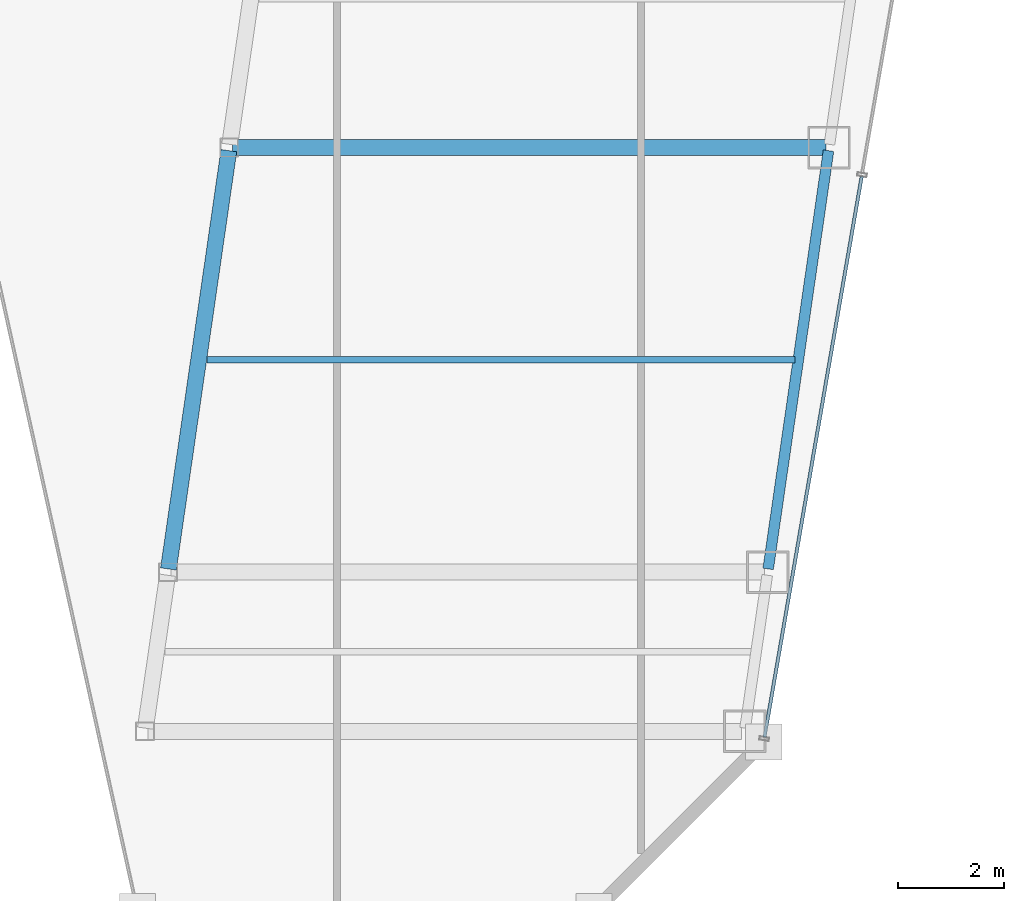
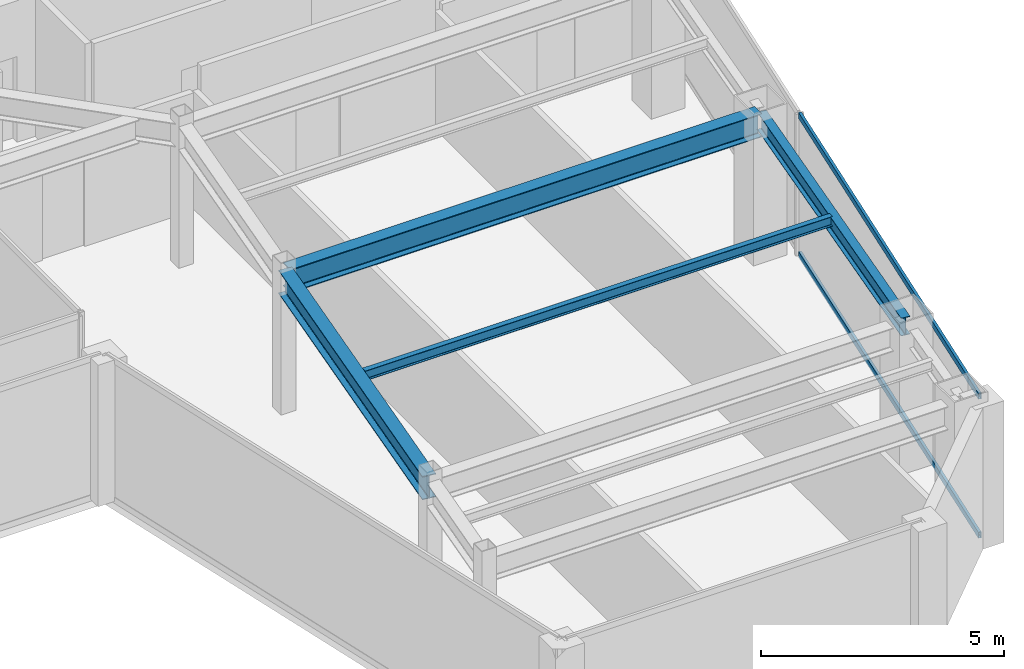
# One storey, part 15 of 33: 4 beams, 2 members, 1 element without a shape of its own.
"""IFC4 building model written with IfcOpenShell, lengths in metres."""

import ifcopenshell
import ifcopenshell.guid

model = None  # the IFC model being written
_history = None  # IfcOwnerHistory: only IFC2X3 demands one
_inside = {}  # id of a spatial element -> (the spatial element, [elements in it])
_under = {}  # id of a project, library or spatial element -> (it, [spatial elements below it])
_declared = {}  # id of a project -> (the project, [libraries it declares])
_typed = {}  # id of a type object -> (the type object, [elements of that type])
_made_of = {}  # id of a material, layer set ... -> (it, [elements and type objects made of it])


def new_model(schema):
    """Start an empty IFC model of exactly this schema.

    Asked for "IFC4X3", IfcOpenShell would pick the latest addendum, in which some entities
    have other attributes; the version numbers below select the first issue.
    IFC2X3 requires an IfcOwnerHistory on every rooted entity: one is made here for all.
    """
    global model, _history
    if schema == "IFC4X3":
        model = ifcopenshell.file(schema_version=(4, 3, 0, 0))
    else:
        model = ifcopenshell.file(schema=schema)
    _inside.clear()
    _under.clear()
    _declared.clear()
    _typed.clear()
    _made_of.clear()
    _history = None
    if model.schema == "IFC2X3":
        org = make("IfcOrganization", Name="unknown")
        user = make(
            "IfcPersonAndOrganization",
            ThePerson=make("IfcPerson", FamilyName="unknown"),
            TheOrganization=org,
        )
        app = make(
            "IfcApplication",
            ApplicationDeveloper=org,
            Version="unknown",
            ApplicationFullName="unknown",
            ApplicationIdentifier="unknown",
        )
        _history = make(
            "IfcOwnerHistory",
            OwningUser=user,
            OwningApplication=app,
            ChangeAction="ADDED",
            CreationDate=0,
        )
    return model


def make(cls, **values):
    """One entity of the class cls with the attributes given. An attribute that is None is left unset."""
    return model.create_entity(
        cls, **{name: value for name, value in values.items() if value is not None}
    )


def rooted(cls, **values):
    """An entity with a GlobalId (a new one), such as an element, a storey or a relation."""
    return make(cls, GlobalId=ifcopenshell.guid.new(), OwnerHistory=_history, **values)


def si_unit(unit_type, name, prefix=None):
    """IfcSIUnit, for example si_unit("LENGTHUNIT", "METRE", prefix="MILLI")."""
    return make("IfcSIUnit", UnitType=unit_type, Prefix=prefix, Name=name)


def assignment(units):
    """IfcUnitAssignment: the units of a project."""
    return None if units is None else make("IfcUnitAssignment", Units=units)


def point(xyz):
    """IfcCartesianPoint."""
    return None if xyz is None else make("IfcCartesianPoint", Coordinates=xyz)


def direction(xyz):
    """IfcDirection."""
    return None if xyz is None else make("IfcDirection", DirectionRatios=xyz)


def frame(location, z_axis=None, x_axis=None):
    """IfcAxis2Placement3D, a coordinate frame: its origin and axes. An axis left out is left unset."""
    return make(
        "IfcAxis2Placement3D",
        Location=point(location),
        Axis=direction(z_axis),
        RefDirection=direction(x_axis),
    )


def frame_2d(location, x_axis=None):
    """IfcAxis2Placement2D, a coordinate frame in the plane: its origin and x axis."""
    return make(
        "IfcAxis2Placement2D", Location=point(location), RefDirection=direction(x_axis)
    )


def origin():
    """The frame at (0, 0, 0) with its axes left unset."""
    return frame((0.0, 0.0, 0.0))


def origin_2d():
    """The frame at (0, 0) in the plane with its x axis left unset."""
    return frame_2d((0.0, 0.0))


def place(relative_to, where):
    """IfcLocalPlacement: puts the frame where relative to a parent placement (None: the world)."""
    return make(
        "IfcLocalPlacement", PlacementRelTo=relative_to, RelativePlacement=where
    )


def context(
    kind, dimensions, precision=None, world=None, true_north=None, identifier=None
):
    """IfcGeometricRepresentationContext, for example the 3D "Model" context."""
    return make(
        "IfcGeometricRepresentationContext",
        ContextIdentifier=identifier,
        ContextType=kind,
        CoordinateSpaceDimension=dimensions,
        Precision=precision,
        WorldCoordinateSystem=world,
        TrueNorth=true_north,
    )


def subcontext(parent, identifier, kind, view, scale=None):
    """IfcGeometricRepresentationSubContext, for example "Body" below "Model"."""
    return make(
        "IfcGeometricRepresentationSubContext",
        ContextIdentifier=identifier,
        ContextType=kind,
        ParentContext=parent,
        TargetScale=scale,
        TargetView=view,
    )


def project(units=None, contexts=None):
    """IfcProject with its units and contexts."""
    return rooted(
        "IfcProject",
        Name="project",
        RepresentationContexts=contexts,
        UnitsInContext=assignment(units),
    )


def spatial(cls, under=None, at=None, **own):
    """A site, building, storey or space (cls), placed at a placement, below another one or the project."""
    s = rooted(cls, ObjectPlacement=at, **own)
    if under is not None:
        _under.setdefault(under.id(), (under, []))[1].append(s)
    return s


def profile(cls, at=None, kind="AREA", **sizes):
    """A parametric profile (cls). Its sizes go by their IFC names, for example OverallWidth=200.0."""
    return make(cls, ProfileType=kind, Position=at, **sizes)


def hollow_rectangle(**sizes):
    """IfcRectangleHollowProfileDef."""
    return profile("IfcRectangleHollowProfileDef", **sizes)


def i_section(**sizes):
    """IfcIShapeProfileDef."""
    return profile("IfcIShapeProfileDef", **sizes)


def extrude(swept, where, along, depth):
    """IfcExtrudedAreaSolid: the profile swept, set in the frame where, extruded along a direction by depth."""
    return make(
        "IfcExtrudedAreaSolid",
        SweptArea=swept,
        Position=where,
        ExtrudedDirection=direction(along),
        Depth=depth,
    )


def shape(context_of_items, identifier, shape_type, items):
    """IfcShapeRepresentation: the items that make up one representation, for example the "Body"."""
    return make(
        "IfcShapeRepresentation",
        ContextOfItems=context_of_items,
        RepresentationIdentifier=identifier,
        RepresentationType=shape_type,
        Items=items,
    )


def material(Name=None, Category=None):
    """IfcMaterial."""
    return make("IfcMaterial", Name=Name, Category=Category)


def material_profile(
    of_material, cross_section, Name=None, Category=None, Priority=None
):
    """IfcMaterialProfile: a cross section and its material."""
    return make(
        "IfcMaterialProfile",
        Name=Name,
        Material=of_material,
        Profile=cross_section,
        Priority=Priority,
        Category=Category,
    )


def profile_set(profiles, Name=None, composite=None):
    """IfcMaterialProfileSet."""
    return make(
        "IfcMaterialProfileSet",
        Name=Name,
        MaterialProfiles=profiles,
        CompositeProfile=composite,
    )


def made_of(thing, what):
    """Note that an element or type object is made of a material, layer set ...; save() writes the relation."""
    if what is not None:
        _made_of.setdefault(what.id(), (what, []))[1].append(thing)
    return thing


def type_object(cls, material=None, **own):
    """A type object (cls), such as IfcWallType, which elements share."""
    return made_of(rooted(cls, **own), material)


def element(
    cls,
    number,
    at=None,
    inside=None,
    cuts=None,
    type_object=None,
    material=None,
    context=None,
    identifier="Body",
    shape_type=None,
    held_by="IfcProductDefinitionShape",
    body=None,
    shapes=None,
    **own,
):
    """One element of the class cls, such as IfcWall. Its Tag is "e" and its number.

    at: its placement. inside: the storey or other place that contains it. cuts: it is an
    opening in that element (IfcRelVoidsElement). A single representation is given by context,
    identifier, shape_type and body (its items); several are given by shapes. held_by: the class
    of the entity that holds the representations. save() writes the other relations.
    """
    e = rooted(cls, Tag="e%d" % number, ObjectPlacement=at, **own)
    if body is not None:
        shapes = [shape(context, identifier, shape_type, body)]
    if shapes is not None:
        e.Representation = make(held_by, Representations=shapes)
    if inside is not None:
        _inside.setdefault(inside.id(), (inside, []))[1].append(e)
    if cuts is not None:
        rooted(
            "IfcRelVoidsElement", RelatingBuildingElement=cuts, RelatedOpeningElement=e
        )
    if type_object is not None:
        _typed.setdefault(type_object.id(), (type_object, []))[1].append(e)
    return made_of(e, material)


def aggregate(whole, parts):
    """IfcRelAggregates: a whole, such as a stair, and the parts it consists of."""
    return rooted("IfcRelAggregates", RelatingObject=whole, RelatedObjects=parts)


def save(model, path):
    """Write the relations noted so far, then the file.

    IfcRelAggregates (storeys below a building ...), IfcRelContainedInSpatialStructure (elements
    in a storey), IfcRelDefinesByType, IfcRelAssociatesMaterial and IfcRelDeclares: one each for
    every whole, place, type object, material and project.
    """
    for whole, parts in _under.values():
        aggregate(whole, parts)
    for where, things in _inside.values():
        rooted(
            "IfcRelContainedInSpatialStructure",
            RelatedElements=things,
            RelatingStructure=where,
        )
    for kind, things in _typed.values():
        rooted("IfcRelDefinesByType", RelatedObjects=things, RelatingType=kind)
    for what, things in _made_of.values():
        rooted("IfcRelAssociatesMaterial", RelatedObjects=things, RelatingMaterial=what)
    for by, libraries in _declared.values():
        rooted("IfcRelDeclares", RelatingContext=by, RelatedDefinitions=libraries)
    model.write(path)


model = new_model("IFC4")

# Units and contexts
model_context = context("Model", 3, precision=1e-05, world=origin(), true_north=direction((0.0, 1.0)))
body_context = subcontext(model_context, "Body", "Model", "MODEL_VIEW")
ifc_project = project(units=[si_unit("LENGTHUNIT", "METRE"), si_unit("AREAUNIT", "SQUARE_METRE"), si_unit("VOLUMEUNIT", "CUBIC_METRE"), si_unit("PLANEANGLEUNIT", "RADIAN"), si_unit("MASSUNIT", "GRAM", prefix="KILO")], contexts=[model_context])

# Site, building, storey
site_placement = place(None, origin())
site = spatial("IfcSite", under=ifc_project, at=site_placement, CompositionType="ELEMENT")
building_placement = place(site_placement, origin())
building = spatial("IfcBuilding", under=site, at=building_placement, Name="Saevonmaru Cultural Tower", CompositionType="ELEMENT")
storey_placement = place(building_placement, frame((0.0, 0.0, 238.199951171875)))
storey = spatial("IfcBuildingStorey", under=building, at=storey_placement, Name="L55", CompositionType="ELEMENT", Elevation=238.199951171875)

# Beams
ifc_material_1 = material(Name="Steel SM355", Category="steel")
ifc_material_profile_1 = material_profile(ifc_material_1, i_section(OverallWidth=0.300048828125, OverallDepth=0.587890625, WebThickness=0.011962890625, FlangeThickness=0.02001953125, FilletRadius=0.02392578125, at=origin_2d()), Name="H-588x300x12x20")
ifc_profile_set_1 = profile_set([ifc_material_profile_1], Name="Steel SM355")
beam_type_1 = type_object("IfcBeamType", Name="BM-G-H588", PredefinedType="BEAM", material=ifc_profile_set_1)
beam_1_placement = place(storey_placement, frame((39.236572265625, 24.059326171875, 3.256103515625), z_axis=(0.142902032203, 0.989736838353, 0.0), x_axis=(-0.989736838353, 0.142902032203, 0.0)))
element("IfcBeam", 1, at=beam_1_placement, inside=storey, type_object=beam_type_1, Name="L55 East Atrium Girder 2", PredefinedType="BEAM", context=body_context, shape_type="SweptSolid", body=[
    extrude(i_section(OverallWidth=0.300048828125, OverallDepth=0.587890625, WebThickness=0.011962890625, FlangeThickness=0.02001953125, FilletRadius=0.02392578125, at=origin_2d()), origin(), (0.0, 0.0, 1.0), 7.963134765625),
])
beam_2_placement = place(storey_placement, frame((40.443115234375, 32.0, 3.256103515625), z_axis=(1.0, 0.0, 0.0), x_axis=(0.0, 1.0, 0.0)))
element("IfcBeam", 2, at=beam_2_placement, inside=storey, type_object=beam_type_1, Name="L55 East Wing Transverse Girder 3", PredefinedType="BEAM", context=body_context, shape_type="SweptSolid", body=[
    extrude(i_section(OverallWidth=0.300048828125, OverallDepth=0.587890625, WebThickness=0.011962890625, FlangeThickness=0.02001953125, FilletRadius=0.02392578125, at=origin_2d()), origin(), (0.0, 0.0, 1.0), 11.179931640625),
])
ifc_material_profile_2 = material_profile(ifc_material_1, i_section(OverallWidth=0.125, OverallDepth=0.25, WebThickness=0.006103515625, FlangeThickness=0.009033203125, FilletRadius=0.008056640625, at=origin_2d()), Name="H-250x125x6x9")
ifc_profile_set_2 = profile_set([ifc_material_profile_2], Name="Steel SM355")
beam_type_2 = type_object("IfcBeamType", Name="BM-J-H250", PredefinedType="JOIST", material=ifc_profile_set_2)
beam_3_placement = place(storey_placement, frame((39.96337890625, 28.0, 3.425048828125), z_axis=(1.0, 0.0, 0.0), x_axis=(0.0, 1.0, 0.0)))
element("IfcBeam", 3, at=beam_3_placement, inside=storey, type_object=beam_type_2, Name="L55 East Wing Floor Joist 2", PredefinedType="JOIST", context=body_context, shape_type="SweptSolid", body=[
    extrude(i_section(OverallWidth=0.125, OverallDepth=0.25, WebThickness=0.006103515625, FlangeThickness=0.009033203125, FilletRadius=0.008056640625, at=origin_2d()), origin(), (0.0, 0.0, 1.0), 11.08203125),
])
ifc_material_profile_3 = material_profile(ifc_material_1, i_section(OverallWidth=0.199951171875, OverallDepth=0.449951171875, WebThickness=0.009033203125, FlangeThickness=0.013916015625, FilletRadius=0.01806640625, at=origin_2d()), Name="H-450x200x9x14")
ifc_profile_set_3 = profile_set([ifc_material_profile_3], Name="Steel SM355")
beam_type_3 = type_object("IfcBeamType", Name="BM-SP-H450", PredefinedType="SPANDREL", material=ifc_profile_set_3)
beam_4_placement = place(storey_placement, frame((50.53662109375, 24.059326171875, 3.324951171875), z_axis=(0.142871999001, 0.989741174197, 0.0), x_axis=(-0.989741174197, 0.142871999001, 0.0)))
element("IfcBeam", 4, at=beam_4_placement, inside=storey, type_object=beam_type_3, Name="L55 East Splayed Spandrel 2", PredefinedType="SPANDREL", context=body_context, shape_type="SweptSolid", body=[
    extrude(i_section(OverallWidth=0.199951171875, OverallDepth=0.449951171875, WebThickness=0.009033203125, FlangeThickness=0.013916015625, FilletRadius=0.01806640625, at=origin_2d()), origin(), (0.0, 0.0, 1.0), 7.963134765625),
])

# Curtain wall, members
ifc_material_2 = material(Name="Satin Bronze Anodised Aluminium", Category="aluminium")
curtain_wall_type = type_object("IfcCurtainWallType", Name="CW-TYP-B", PredefinedType="NOTDEFINED", material=ifc_material_2)
curtain_wall_placement = place(storey_placement, origin())
curtain_wall = element("IfcCurtainWall", 5, at=curtain_wall_placement, inside=storey, type_object=curtain_wall_type, Name="L55 Unitised Curtain Wall E8", PredefinedType="NOTDEFINED")
ifc_material_profile_4 = material_profile(ifc_material_2, hollow_rectangle(XDim=0.06494140625, YDim=0.14990234375, WallThickness=0.00390625, at=origin_2d()), Name="ALU-TRAN-150x65x4")
ifc_profile_set_4 = profile_set([ifc_material_profile_4], Name="Satin Bronze Anodised Aluminium")
member_type = type_object("IfcMemberType", Name="TR-CW-150x65", PredefinedType="USERDEFINED", material=ifc_profile_set_4)
member_1_placement = place(storey_placement, frame((50.468994140625, 20.89111328125, 0.032470703125), z_axis=(0.170795272137, 0.985306538604, 0.0), x_axis=(-0.985306538604, 0.170795272137, 0.0)))
member_1 = element("IfcMember", 6, at=member_1_placement, type_object=member_type, Name="CW-TW-L55-E8 transom 1.1", ObjectType="TRANSOM", PredefinedType="USERDEFINED", context=body_context, shape_type="SweptSolid", body=[
    extrude(hollow_rectangle(XDim=0.06494140625, YDim=0.14990234375, WallThickness=0.00390625, at=origin_2d()), origin(), (0.0, 0.0, 1.0), 10.720703125),
])
member_2_placement = place(storey_placement, frame((50.468994140625, 20.89111328125, 3.517578125), z_axis=(0.170795272137, 0.985306538604, 0.0), x_axis=(-0.985306538604, 0.170795272137, 0.0)))
member_2 = element("IfcMember", 7, at=member_2_placement, type_object=member_type, Name="CW-TW-L55-E8 transom 1.2", ObjectType="TRANSOM", PredefinedType="USERDEFINED", context=body_context, shape_type="SweptSolid", body=[
    extrude(hollow_rectangle(XDim=0.06494140625, YDim=0.14990234375, WallThickness=0.00390625, at=origin_2d()), origin(), (0.0, 0.0, 1.0), 10.720703125),
])
aggregate(curtain_wall, [member_1, member_2])

save(model, "model.ifc")
